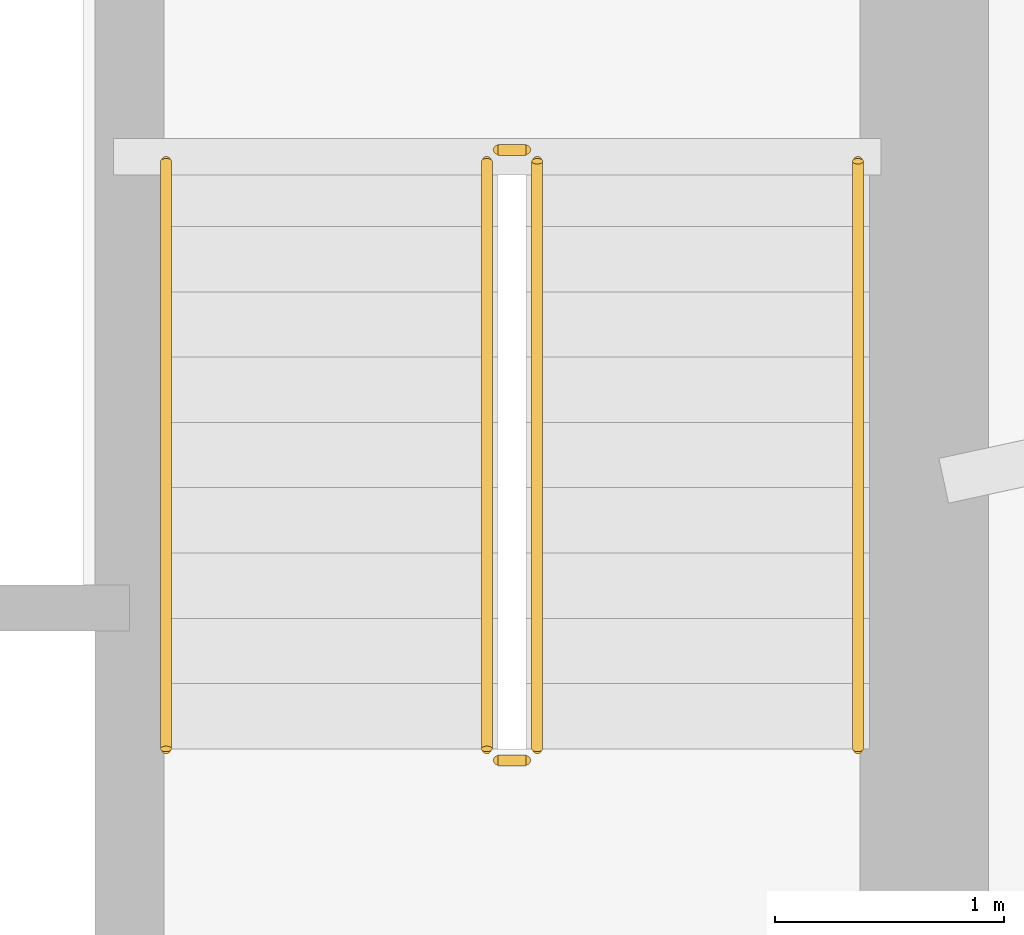
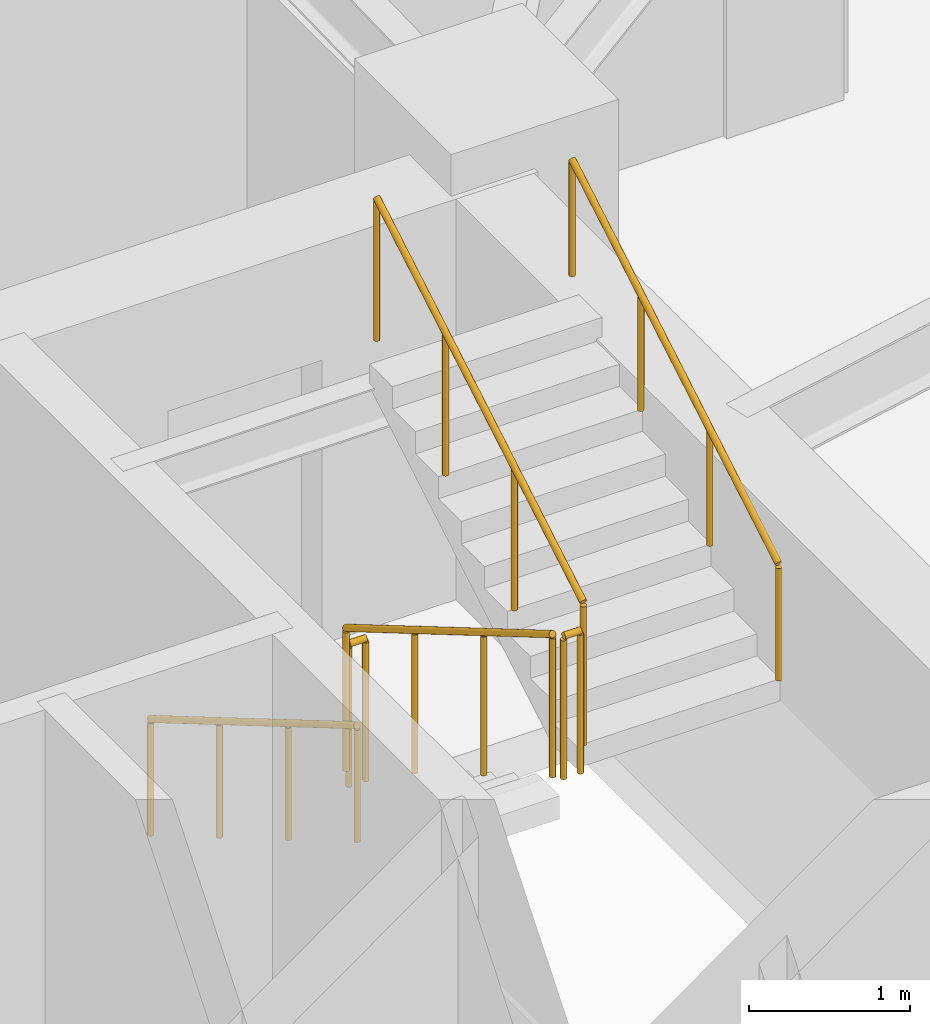
# One storey, part 20 of 20: 6 railings.
"""IFC4 building model written with IfcOpenShell, lengths in metres."""

from ifc_helpers import new_model, si_unit, direction, frame, origin, origin_2d, place, context, subcontext, project, spatial, circle, extrude, material, type_object, element, save


model = new_model("IFC4")

# Units and contexts
model_context = context("Model", 3, precision=1e-05, world=origin(), true_north=direction((0.0, 1.0)))
body_context = subcontext(model_context, "Body", "Model", "MODEL_VIEW")
ifc_project = project(units=[si_unit("LENGTHUNIT", "METRE"), si_unit("AREAUNIT", "SQUARE_METRE"), si_unit("VOLUMEUNIT", "CUBIC_METRE"), si_unit("PLANEANGLEUNIT", "RADIAN"), si_unit("MASSUNIT", "GRAM", prefix="KILO")], contexts=[model_context])

# Site, building, storey
site_placement = place(None, origin())
site = spatial("IfcSite", under=ifc_project, at=site_placement, CompositionType="ELEMENT")
building_placement = place(site_placement, origin())
building = spatial("IfcBuilding", under=site, at=building_placement, Name="Qobustan Lattice House", CompositionType="ELEMENT")
storey_placement = place(building_placement, frame((0.0, 0.0, 63.85009765625)))
storey = spatial("IfcBuildingStorey", under=building, at=storey_placement, Name="L17", CompositionType="ELEMENT", Elevation=63.85009765625)

# Railings
ifc_material_1 = material(Name="Brushed stainless steel handrail", Category="steel")
railing_type_1 = type_object("IfcRailingType", Name="RAL-HR-920", PredefinedType="HANDRAIL", material=ifc_material_1)
railing_1_placement = place(storey_placement, frame((15.179931640625, 3.5, 0.16748046875)))
element("IfcRailing", 1, at=railing_1_placement, inside=storey, type_object=railing_type_1, Name="L17 ST-E1 stair handrail 1", PredefinedType="HANDRAIL", context=body_context, shape_type="SweptSolid", body=[
    extrude(circle(Radius=0.02392578125, at=origin_2d()), frame((0.0, 0.0, 0.8759765625), z_axis=(0.0, -0.862149314443, 0.506654280161), x_axis=(1.0, 0.0, 0.0)), (0.0, 0.0, 1.0), 2.97509765625),
    extrude(circle(Radius=0.02099609375, at=origin_2d()), origin(), (0.0, 0.0, 1.0), 0.851806640625),
    extrude(circle(Radius=0.02099609375, at=origin_2d()), frame((0.0, -0.85498046875, 0.50244140625)), (0.0, 0.0, 1.0), 0.851806640625),
    extrude(circle(Radius=0.02099609375, at=origin_2d()), frame((0.0, -1.7099609375, 1.0048828125)), (0.0, 0.0, 1.0), 0.851806640625),
    extrude(circle(Radius=0.02099609375, at=origin_2d()), frame((0.0, -2.56494140625, 1.50732421875)), (0.0, 0.0, 1.0), 0.851806640625),
])
railing_2_placement = place(storey_placement, frame((18.199951171875, 0.93505859375, 1.84228515625)))
element("IfcRailing", 2, at=railing_2_placement, inside=storey, type_object=railing_type_1, Name="L17 ST-E1 stair handrail 2", PredefinedType="HANDRAIL", context=body_context, shape_type="SweptSolid", body=[
    extrude(circle(Radius=0.02392578125, at=origin_2d()), frame((0.0, 0.0, 0.8759765625), z_axis=(0.0, 0.862113467892, 0.50671527358), x_axis=(-1.0, 0.0, 0.0)), (0.0, 0.0, 1.0), 2.97509765625),
    extrude(circle(Radius=0.02099609375, at=origin_2d()), origin(), (0.0, 0.0, 1.0), 0.851806640625),
    extrude(circle(Radius=0.02099609375, at=origin_2d()), frame((0.0, 0.85498046875, 0.50244140625)), (0.0, 0.0, 1.0), 0.851806640625),
    extrude(circle(Radius=0.02099609375, at=origin_2d()), frame((0.0, 1.7099609375, 1.005126953125)), (0.0, 0.0, 1.0), 0.851806640625),
    extrude(circle(Radius=0.02099609375, at=origin_2d()), frame((0.0, 2.56494140625, 1.507568359375)), (0.0, 0.0, 1.0), 0.851806640625),
])
ifc_material_2 = material(Name="Painted galvanized steel guardrail", Category="steel")
railing_type_2 = type_object("IfcRailingType", Name="RAL-STG-1150", PredefinedType="GUARDRAIL", material=ifc_material_2)
railing_3_placement = place(storey_placement, frame((16.580078125, 3.5, 0.16748046875)))
element("IfcRailing", 3, at=railing_3_placement, inside=storey, type_object=railing_type_2, Name="L17 ST-E1 stair guard 1", PredefinedType="GUARDRAIL", context=body_context, shape_type="SweptSolid", body=[
    extrude(circle(Radius=0.02392578125, at=origin_2d()), frame((0.0, 0.0, 1.076171875), z_axis=(0.0, -0.862149314443, 0.506654280161), x_axis=(1.0, 0.0, 0.0)), (0.0, 0.0, 1.0), 2.97509765625),
    extrude(circle(Radius=0.02099609375, at=origin_2d()), origin(), (0.0, 0.0, 1.0), 1.052001953125),
    extrude(circle(Radius=0.02099609375, at=origin_2d()), frame((0.0, -0.85498046875, 0.50244140625)), (0.0, 0.0, 1.0), 1.052001953125),
    extrude(circle(Radius=0.02099609375, at=origin_2d()), frame((0.0, -1.7099609375, 1.0048828125)), (0.0, 0.0, 1.0), 1.052001953125),
    extrude(circle(Radius=0.02099609375, at=origin_2d()), frame((0.0, -2.56494140625, 1.50732421875)), (0.0, 0.0, 1.0), 1.052001953125),
])
railing_4_placement = place(storey_placement, frame((16.6298828125, 0.885009765625, 1.6748046875)))
element("IfcRailing", 4, at=railing_4_placement, inside=storey, type_object=railing_type_2, Name="L17 ST-E1 stair guard 2", PredefinedType="GUARDRAIL", context=body_context, shape_type="SweptSolid", body=[
    extrude(circle(Radius=0.02392578125, at=origin_2d()), frame((0.0, 0.0, 1.076171875), z_axis=(1.0, 0.0, 0.0), x_axis=(0.0, 1.0, 0.0)), (0.0, 0.0, 1.0), 0.1201171875),
    extrude(circle(Radius=0.02099609375, at=origin_2d()), origin(), (0.0, 0.0, 1.0), 1.052001953125),
    extrude(circle(Radius=0.02099609375, at=origin_2d()), frame((0.1201171875, 0.0, 0.0)), (0.0, 0.0, 1.0), 1.052001953125),
])
railing_5_placement = place(storey_placement, frame((16.800048828125, 0.93505859375, 1.84228515625)))
element("IfcRailing", 5, at=railing_5_placement, inside=storey, type_object=railing_type_2, Name="L17 ST-E1 stair guard 3", PredefinedType="GUARDRAIL", context=body_context, shape_type="SweptSolid", body=[
    extrude(circle(Radius=0.02392578125, at=origin_2d()), frame((0.0, 0.0, 1.076171875), z_axis=(0.0, 0.862113467892, 0.50671527358), x_axis=(-1.0, 0.0, 0.0)), (0.0, 0.0, 1.0), 2.97509765625),
    extrude(circle(Radius=0.02099609375, at=origin_2d()), origin(), (0.0, 0.0, 1.0), 1.052001953125),
    extrude(circle(Radius=0.02099609375, at=origin_2d()), frame((0.0, 0.85498046875, 0.50244140625)), (0.0, 0.0, 1.0), 1.052001953125),
    extrude(circle(Radius=0.02099609375, at=origin_2d()), frame((0.0, 1.7099609375, 1.005126953125)), (0.0, 0.0, 1.0), 1.052001953125),
    extrude(circle(Radius=0.02099609375, at=origin_2d()), frame((0.0, 2.56494140625, 1.507568359375)), (0.0, 0.0, 1.0), 1.052001953125),
])
railing_6_placement = place(storey_placement, frame((16.6298828125, 3.550048828125, 0.0)))
element("IfcRailing", 6, at=railing_6_placement, inside=storey, type_object=railing_type_2, Name="L17 ST-E1 stair guard 4", PredefinedType="GUARDRAIL", context=body_context, shape_type="SweptSolid", body=[
    extrude(circle(Radius=0.02392578125, at=origin_2d()), frame((0.0, 0.0, 1.076171875), z_axis=(1.0, 0.0, 0.0), x_axis=(0.0, 1.0, 0.0)), (0.0, 0.0, 1.0), 0.1201171875),
    extrude(circle(Radius=0.02099609375, at=origin_2d()), origin(), (0.0, 0.0, 1.0), 1.052001953125),
    extrude(circle(Radius=0.02099609375, at=origin_2d()), frame((0.1201171875, 0.0, 0.0)), (0.0, 0.0, 1.0), 1.052001953125),
])

save(model, "model.ifc")
